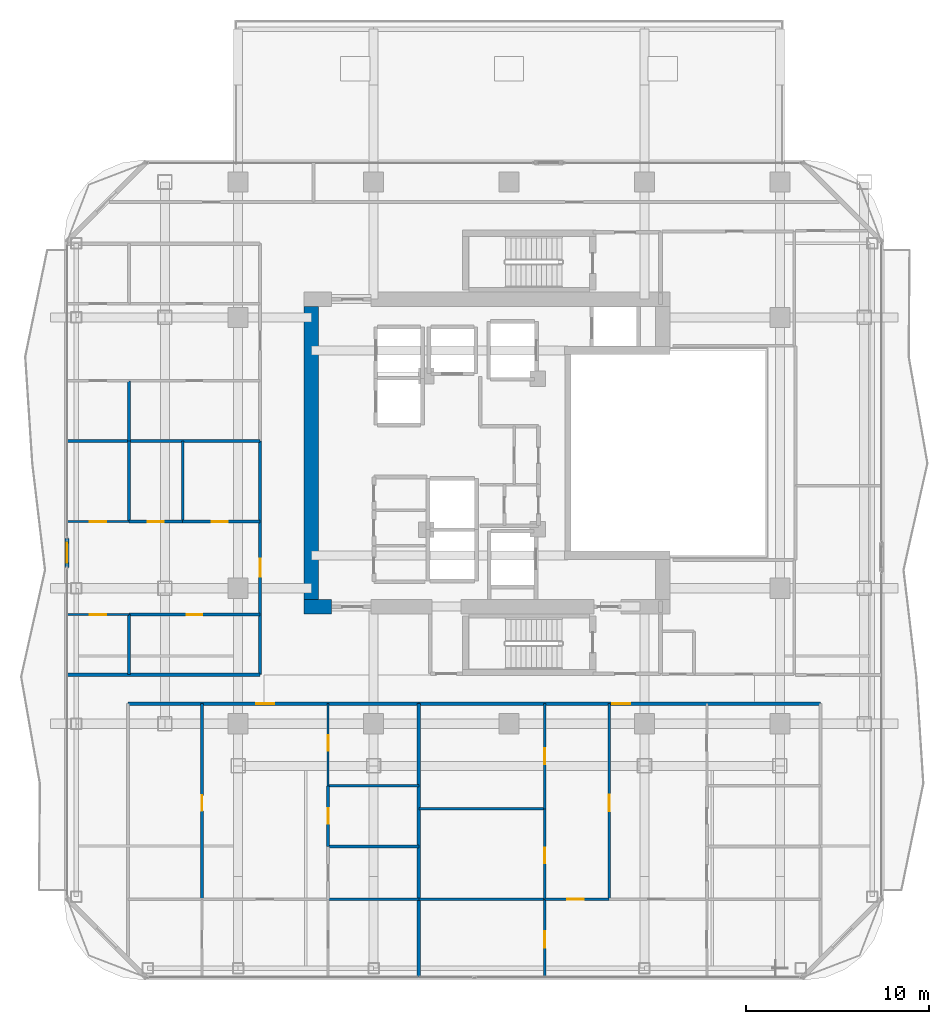
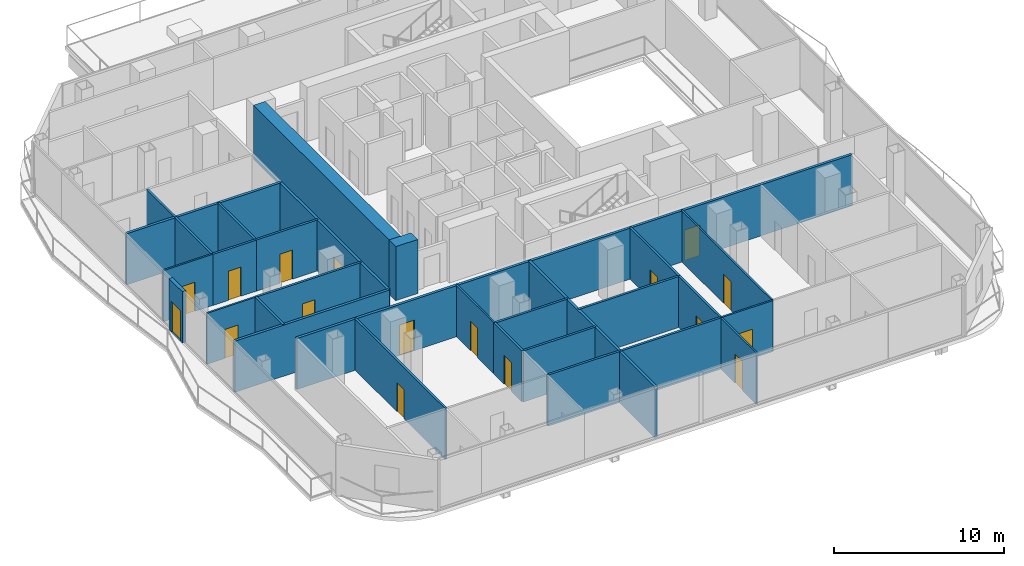
# One storey, part 17 of 24: 31 walls, 17 doors, 17 openings.
"""IFC4 building model written with IfcOpenShell, lengths in metres."""

from ifc_helpers import new_model, si_unit, direction, frame, frame_2d, origin, place, context, subcontext, project, spatial, rectangle, extrude, material, layer, layer_set, type_object, element, fill, save


model = new_model("IFC4")

# Units and contexts
model_context = context("Model", 3, precision=1e-05, world=origin(), true_north=direction((0.0, 1.0)))
body_context = subcontext(model_context, "Body", "Model", "MODEL_VIEW")
ifc_project = project(units=[si_unit("LENGTHUNIT", "METRE"), si_unit("AREAUNIT", "SQUARE_METRE"), si_unit("VOLUMEUNIT", "CUBIC_METRE"), si_unit("PLANEANGLEUNIT", "RADIAN"), si_unit("MASSUNIT", "GRAM", prefix="KILO")], contexts=[model_context])

# Site, building, storey
site_placement = place(None, origin())
site = spatial("IfcSite", under=ifc_project, at=site_placement, CompositionType="ELEMENT")
building_placement = place(site_placement, origin())
building = spatial("IfcBuilding", under=site, at=building_placement, Name="Khorvyn Point Tower", CompositionType="ELEMENT")
storey_placement = place(building_placement, frame((0.0, 0.0, 191.39990234375)))
storey = spatial("IfcBuildingStorey", under=building, at=storey_placement, Name="L47", CompositionType="ELEMENT", Elevation=191.39990234375)

# Wall, opening, door
ifc_material_1 = material(Name="Double acoustic gypsum on twin steel stud", Category="steel")
ifc_layer_1 = layer(ifc_material_1, 0.179931640625)
ifc_layer_set_1 = layer_set([ifc_layer_1], Name="Acoustic Double-Stud Apartment Demising Wall 180")
wall_type_1 = type_object("IfcWallType", Name="Acoustic Double-Stud Apartment Demising Wall 180", PredefinedType="PARTITIONING", material=ifc_layer_set_1)
wall_1_placement = place(storey_placement, frame((-20.820068359375, -13.699951171875, 0.0), z_axis=(0.0, 0.0, 1.0), x_axis=(1.0, 0.0, 0.0)))
wall_1 = element("IfcWall", 1, at=wall_1_placement, inside=storey, type_object=wall_type_1, Name="Wall", PredefinedType="PARTITIONING", context=body_context, shape_type="SweptSolid", body=[
    extrude(rectangle(XDim=15.89306640625, YDim=0.179931640625, at=frame_2d((7.946533203125, 0.0))), origin(), (0.0, 0.0, 1.0), 3.68017578125),
])
opening_1_placement = place(wall_1_placement, frame((6.99658203125, 0.0, 0.0)))
opening_1 = element("IfcOpeningElement", 2, at=opening_1_placement, cuts=wall_1, Name="Opening ID-AP60", PredefinedType="OPENING", context=body_context, shape_type="SweptSolid", body=[
    extrude(rectangle(XDim=1.0, YDim=2.199951171875, at=frame_2d((0.5, 1.10009765625))), frame((0.0, 0.099853515625, 0.0), z_axis=(0.0, -1.0, 0.0), x_axis=(1.0, 0.0, 0.0)), (0.0, 0.0, 1.0), 0.199951171875),
])
ifc_material_2 = material(Name="Engineered hardwood fire-rated leaf", Category="wood")
door_type_1 = type_object("IfcDoorType", Name="Acoustic Solid-Core Timber Apartment Entrance Door 1000x2200", OperationType="NOTDEFINED", PredefinedType="DOOR", material=ifc_material_2)
door_1_placement = place(opening_1_placement, origin())
door_1 = element("IfcDoor", 3, at=door_1_placement, inside=storey, type_object=door_type_1, Name="Door", OperationType="SINGLE_SWING_LEFT", OverallHeight=2.199951171875, OverallWidth=1.0, PredefinedType="DOOR", context=body_context, shape_type="SweptSolid", body=[
    extrude(rectangle(XDim=1.0, YDim=2.199951171875, at=frame_2d((0.5, 1.10009765625))), frame((0.0, 0.02490234375, 0.0), z_axis=(0.0, -1.0, 0.0), x_axis=(1.0, 0.0, 0.0)), (0.0, 0.0, 1.0), 0.050048828125),
])
fill(opening_1, door_1)

wall_2_placement = place(storey_placement, frame((-4.927001953125, -13.699951171875, 0.0), z_axis=(0.0, 0.0, 1.0), x_axis=(1.0, 0.0, 0.0)))
wall_2 = element("IfcWall", 4, at=wall_2_placement, inside=storey, type_object=wall_type_1, Name="Wall", PredefinedType="PARTITIONING", context=body_context, shape_type="SweptSolid", body=[
    extrude(rectangle(XDim=21.947021484375, YDim=0.179931640625, at=frame_2d((10.9736328125, 0.0))), origin(), (0.0, 0.0, 1.0), 3.68017578125),
])
opening_2_placement = place(wall_2_placement, frame((10.563232421875, 0.0, 0.0)))
opening_2 = element("IfcOpeningElement", 5, at=opening_2_placement, cuts=wall_2, Name="Opening ID-AP60", PredefinedType="OPENING", context=body_context, shape_type="SweptSolid", body=[
    extrude(rectangle(XDim=1.0, YDim=2.199951171875, at=frame_2d((0.5, 1.10009765625))), frame((0.0, 0.099853515625, 0.0), z_axis=(0.0, -1.0, 0.0), x_axis=(1.0, 0.0, 0.0)), (0.0, 0.0, 1.0), 0.199951171875),
])
door_2_placement = place(opening_2_placement, origin())
door_2 = element("IfcDoor", 6, at=door_2_placement, inside=storey, type_object=door_type_1, Name="Door", OperationType="SINGLE_SWING_LEFT", OverallHeight=2.199951171875, OverallWidth=1.0, PredefinedType="DOOR", context=body_context, shape_type="SweptSolid", body=[
    extrude(rectangle(XDim=1.0, YDim=2.199951171875, at=frame_2d((0.5, 1.10009765625))), frame((0.0, 0.02490234375, 0.0), z_axis=(0.0, -1.0, 0.0), x_axis=(1.0, 0.0, 0.0)), (0.0, 0.0, 1.0), 0.050048828125),
])
fill(opening_2, door_2)

wall_3_placement = place(storey_placement, frame((-13.60009765625, -12.1201171875, 0.0), z_axis=(0.0, 0.0, 1.0), x_axis=(0.0, 1.0, 0.0)))
wall_3 = element("IfcWall", 7, at=wall_3_placement, inside=storey, type_object=wall_type_1, Name="Wall", PredefinedType="PARTITIONING", context=body_context, shape_type="SweptSolid", body=[
    extrude(rectangle(XDim=12.76416015625, YDim=0.179931640625, at=frame_2d((6.382080078125, 0.0))), origin(), (0.0, 0.0, 1.0), 3.68017578125),
])
opening_3_placement = place(wall_3_placement, frame((5.345703125, 0.0, 0.0)))
opening_3 = element("IfcOpeningElement", 8, at=opening_3_placement, cuts=wall_3, Name="Opening ID-AP60", PredefinedType="OPENING", context=body_context, shape_type="SweptSolid", body=[
    extrude(rectangle(XDim=1.0, YDim=2.199951171875, at=frame_2d((0.5, 1.10009765625))), frame((0.0, 0.099853515625, 0.0), z_axis=(0.0, -1.0, 0.0), x_axis=(1.0, 0.0, 0.0)), (0.0, 0.0, 1.0), 0.199951171875),
])
door_3_placement = place(opening_3_placement, origin())
door_3 = element("IfcDoor", 9, at=door_3_placement, inside=storey, type_object=door_type_1, Name="Door", OperationType="SINGLE_SWING_RIGHT", OverallHeight=2.199951171875, OverallWidth=1.0, PredefinedType="DOOR", context=body_context, shape_type="SweptSolid", body=[
    extrude(rectangle(XDim=1.0, YDim=2.199951171875, at=frame_2d((0.5, 1.10009765625))), frame((0.0, 0.02490234375, 0.0), z_axis=(0.0, -1.0, 0.0), x_axis=(1.0, 0.0, 0.0)), (0.0, 0.0, 1.0), 0.050048828125),
])
fill(opening_3, door_3)

# Walls
wall_4_placement = place(storey_placement, frame((-4.927001953125, -28.6298828125, 0.0), z_axis=(0.0, 0.0, 1.0), x_axis=(0.0, 1.0, 0.0)))
element("IfcWall", 10, at=wall_4_placement, inside=storey, type_object=wall_type_1, Name="Wall", PredefinedType="PARTITIONING", context=body_context, shape_type="SweptSolid", body=[
    extrude(rectangle(XDim=14.929931640625, YDim=0.179931640625, at=frame_2d((7.46484375, 0.0))), origin(), (0.0, 0.0, 1.0), 3.68017578125),
])
for number, where, z_axis, x_axis, name in (
    (11, (-24.1298828125, 0.64404296875, 0.0), (0.0, 0.0, 1.0), (1.0, 0.0, 0.0), "Wall"),
    (12, (-24.1298828125, -12.1201171875, 0.0), (0.0, 0.0, 1.0), (1.0, 0.0, 0.0), "Wall"),
):
    element("IfcWall", number, at=place(storey_placement, frame(where, z_axis=z_axis, x_axis=x_axis)), inside=storey, type_object=wall_type_1, Name=name, PredefinedType="PARTITIONING", context=body_context, shape_type="SweptSolid", body=[
        extrude(rectangle(XDim=10.52978515625, YDim=0.179931640625, at=frame_2d((5.264892578125, 0.0))), origin(), (0.0, 0.0, 1.0), 3.68017578125),
    ])

# Wall, opening, door
ifc_material_3 = material(Name="Pale anodised aluminium rainscreen on steel stud", Category="steel")
ifc_layer_2 = layer(ifc_material_3, 0.239990234375)
ifc_layer_set_2 = layer_set([ifc_layer_2], Name="Anodised Aluminium Insulated Corner Spandrel Wall 240")
wall_type_2 = type_object("IfcWallType", Name="Anodised Aluminium Insulated Corner Spandrel Wall 240", PredefinedType="SOLIDWALL", material=ifc_layer_set_2)
wall_5_placement = place(storey_placement, frame((-24.14990234375, -6.25390625, 0.0), z_axis=(0.0, 0.0, 1.0), x_axis=(0.0, 1.0, 0.0)))
wall_5 = element("IfcWall", 13, at=wall_5_placement, inside=storey, type_object=wall_type_2, Name="L47 West Outdoor Threshold Wall", PredefinedType="SOLIDWALL", context=body_context, shape_type="SweptSolid", body=[
    extrude(rectangle(XDim=1.579833984375, YDim=0.239990234375, at=frame_2d((0.7900390625, 0.0))), origin(), (0.0, 0.0, 1.0), 3.68017578125),
])
opening_4_placement = place(wall_5_placement, frame((0.239990234375, 0.0, 0.0)))
opening_4 = element("IfcOpeningElement", 14, at=opening_4_placement, cuts=wall_5, Name="Opening BD-1122", PredefinedType="OPENING", context=body_context, shape_type="SweptSolid", body=[
    extrude(rectangle(XDim=1.10009765625, YDim=2.199951171875, at=frame_2d((0.550048828125, 1.10009765625))), frame((0.0, 0.1298828125, 0.0), z_axis=(0.0, -1.0, 0.0), x_axis=(1.0, 0.0, 0.0)), (0.0, 0.0, 1.0), 0.260009765625),
])
ifc_material_4 = material(Name="Anodised aluminium 6063-T6 and laminated Low-E glass", Category="aluminium")
door_type_2 = type_object("IfcDoorType", Name="Glazed Balcony and Terrace Threshold Door 1100x2200", OperationType="NOTDEFINED", PredefinedType="DOOR", material=ifc_material_4)
door_4_placement = place(opening_4_placement, origin())
door_4 = element("IfcDoor", 15, at=door_4_placement, inside=storey, type_object=door_type_2, Name="L47 West Glazed Balcony Outdoor Door", OperationType="SINGLE_SWING_RIGHT", OverallHeight=2.199951171875, OverallWidth=1.10009765625, PredefinedType="DOOR", context=body_context, shape_type="SweptSolid", body=[
    extrude(rectangle(XDim=1.10009765625, YDim=2.199951171875, at=frame_2d((0.550048828125, 1.10009765625))), frame((0.0, 0.02490234375, 0.0), z_axis=(0.0, -1.0, 0.0), x_axis=(1.0, 0.0, 0.0)), (0.0, 0.0, 1.0), 0.050048828125),
])
fill(opening_4, door_4)

# Walls
ifc_material_5 = material(Name="Concrete C45/55", Category="concrete")
ifc_layer_3 = layer(ifc_material_5, 0.800048828125)
ifc_layer_set_3 = layer_set([ifc_layer_3], Name="Concrete C45/55 Core Shear Wall 800")
wall_type_3 = type_object("IfcWallType", Name="Concrete C45/55 Core Shear Wall 800", PredefinedType="SHEAR", material=ifc_layer_set_3)
wall_6_placement = place(storey_placement, frame((-11.199951171875, -8.39990234375, 0.0), z_axis=(0.0, 0.0, 1.0), x_axis=(1.0, 0.0, 0.0)))
element("IfcWall", 16, at=wall_6_placement, inside=storey, type_object=wall_type_3, Name="Wall", PredefinedType="SHEAR", context=body_context, shape_type="SweptSolid", body=[
    extrude(rectangle(XDim=1.5, YDim=0.800048828125, at=frame_2d((0.75, 0.0))), origin(), (0.0, 0.0, 1.0), 3.900146484375),
])
wall_7_placement = place(storey_placement, frame((-10.800048828125, -8.0, 0.0), z_axis=(0.0, 0.0, 1.0), x_axis=(0.0, 1.0, 0.0)))
element("IfcWall", 17, at=wall_7_placement, inside=storey, type_object=wall_type_3, Name="Wall", PredefinedType="SHEAR", context=body_context, shape_type="SweptSolid", body=[
    extrude(rectangle(XDim=16.0, YDim=0.800048828125, at=frame_2d((8.0, 0.0))), origin(), (0.0, 0.0, 1.0), 3.900146484375),
])

# Wall, opening, door
ifc_material_6 = material(Name="Gypsum plasterboard on steel stud", Category="steel")
ifc_layer_4 = layer(ifc_material_6, 0.1201171875)
ifc_layer_set_4 = layer_set([ifc_layer_4], Name="Gypsum Acoustic Stud Room Partition Wall 120")
wall_type_4 = type_object("IfcWallType", Name="Gypsum Acoustic Stud Room Partition Wall 120", PredefinedType="PARTITIONING", material=ifc_layer_set_4)
wall_8_placement = place(storey_placement, frame((-9.885009765625, -18.18994140625, 0.0), z_axis=(0.0, 0.0, 1.0), x_axis=(0.0, 1.0, 0.0)))
wall_8 = element("IfcWall", 18, at=wall_8_placement, inside=storey, type_object=wall_type_4, Name="Wall", PredefinedType="PARTITIONING", context=body_context, shape_type="SweptSolid", body=[
    extrude(rectangle(XDim=4.489990234375, YDim=0.1201171875, at=frame_2d((2.2451171875, 0.0))), origin(), (0.0, 0.0, 1.0), 3.68017578125),
])
opening_5_placement = place(wall_8_placement, frame((1.907470703125, 0.0, 0.0)))
opening_5 = element("IfcOpeningElement", 19, at=opening_5_placement, cuts=wall_8, Name="Opening ID-WC85", PredefinedType="OPENING", context=body_context, shape_type="SweptSolid", body=[
    extrude(rectangle(XDim=0.85009765625, YDim=2.10009765625, at=frame_2d((0.425048828125, 1.050048828125))), frame((0.0, 0.070068359375, 0.0), z_axis=(0.0, -1.0, 0.0), x_axis=(1.0, 0.0, 0.0)), (0.0, 0.0, 1.0), 0.14013671875),
])
ifc_material_7 = material(Name="High-pressure laminate on moisture-resistant core", Category="wood")
door_type_3 = type_object("IfcDoorType", Name="Moisture-Resistant Accessible Washroom Door 850x2100", OperationType="NOTDEFINED", PredefinedType="DOOR", material=ifc_material_7)
door_5_placement = place(opening_5_placement, origin())
door_5 = element("IfcDoor", 20, at=door_5_placement, inside=storey, type_object=door_type_3, Name="Door", OperationType="SINGLE_SWING_LEFT", OverallHeight=2.10009765625, OverallWidth=0.85009765625, PredefinedType="DOOR", context=body_context, shape_type="SweptSolid", body=[
    extrude(rectangle(XDim=0.85009765625, YDim=2.10009765625, at=frame_2d((0.425048828125, 1.050048828125))), frame((0.0, 0.02490234375, 0.0), z_axis=(0.0, -1.0, 0.0), x_axis=(1.0, 0.0, 0.0)), (0.0, 0.0, 1.0), 0.050048828125),
])
fill(opening_5, door_5)

wall_9_placement = place(storey_placement, frame((1.955078125, -24.389892578125, 0.0), z_axis=(0.0, 0.0, 1.0), x_axis=(1.0, 0.0, 0.0)))
wall_9 = element("IfcWall", 21, at=wall_9_placement, inside=storey, type_object=wall_type_4, Name="Wall", PredefinedType="PARTITIONING", context=body_context, shape_type="SweptSolid", body=[
    extrude(rectangle(XDim=3.516845703125, YDim=0.1201171875, at=frame_2d((1.75830078125, 0.0))), origin(), (0.0, 0.0, 1.0), 3.68017578125),
])
opening_6_placement = place(wall_9_placement, frame((1.22021484375, 0.0, 0.0)))
opening_6 = element("IfcOpeningElement", 22, at=opening_6_placement, cuts=wall_9, Name="Opening ID-RM90", PredefinedType="OPENING", context=body_context, shape_type="SweptSolid", body=[
    extrude(rectangle(XDim=0.89990234375, YDim=2.10009765625, at=frame_2d((0.449951171875, 1.050048828125))), frame((0.0, 0.070068359375, 0.0), z_axis=(0.0, -1.0, 0.0), x_axis=(1.0, 0.0, 0.0)), (0.0, 0.0, 1.0), 0.14013671875),
])
ifc_material_8 = material(Name="Engineered oak veneer timber", Category="wood")
door_type_4 = type_object("IfcDoorType", Name="Flush Engineered Timber Room Door 900x2100", OperationType="NOTDEFINED", PredefinedType="DOOR", material=ifc_material_8)
door_6_placement = place(opening_6_placement, origin())
door_6 = element("IfcDoor", 23, at=door_6_placement, inside=storey, type_object=door_type_4, Name="Door", OperationType="SINGLE_SWING_RIGHT", OverallHeight=2.10009765625, OverallWidth=0.89990234375, PredefinedType="DOOR", context=body_context, shape_type="SweptSolid", body=[
    extrude(rectangle(XDim=0.89990234375, YDim=2.10009765625, at=frame_2d((0.449951171875, 1.050048828125))), frame((0.0, 0.02490234375, 0.0), z_axis=(0.0, -1.0, 0.0), x_axis=(1.0, 0.0, 0.0)), (0.0, 0.0, 1.0), 0.050048828125),
])
fill(opening_6, door_6)

wall_10_placement = place(storey_placement, frame((5.471923828125, -24.389892578125, 0.0), z_axis=(0.0, 0.0, 1.0), x_axis=(0.0, 1.0, 0.0)))
wall_10 = element("IfcWall", 24, at=wall_10_placement, inside=storey, type_object=wall_type_4, Name="Wall", PredefinedType="PARTITIONING", context=body_context, shape_type="SweptSolid", body=[
    extrude(rectangle(XDim=10.68994140625, YDim=0.1201171875, at=frame_2d((5.344970703125, 0.0))), origin(), (0.0, 0.0, 1.0), 3.68017578125),
])
opening_7_placement = place(wall_10_placement, frame((4.8056640625, 0.0, 0.0)))
opening_7 = element("IfcOpeningElement", 25, at=opening_7_placement, cuts=wall_10, Name="Opening ID-RM90", PredefinedType="OPENING", context=body_context, shape_type="SweptSolid", body=[
    extrude(rectangle(XDim=0.89990234375, YDim=2.10009765625, at=frame_2d((0.449951171875, 1.050048828125))), frame((0.0, 0.070068359375, 0.0), z_axis=(0.0, -1.0, 0.0), x_axis=(1.0, 0.0, 0.0)), (0.0, 0.0, 1.0), 0.14013671875),
])
door_7_placement = place(opening_7_placement, origin())
door_7 = element("IfcDoor", 26, at=door_7_placement, inside=storey, type_object=door_type_4, Name="Door", OperationType="SINGLE_SWING_RIGHT", OverallHeight=2.10009765625, OverallWidth=0.89990234375, PredefinedType="DOOR", context=body_context, shape_type="SweptSolid", body=[
    extrude(rectangle(XDim=0.89990234375, YDim=2.10009765625, at=frame_2d((0.449951171875, 1.050048828125))), frame((0.0, 0.02490234375, 0.0), z_axis=(0.0, -1.0, 0.0), x_axis=(1.0, 0.0, 0.0)), (0.0, 0.0, 1.0), 0.050048828125),
])
fill(opening_7, door_7)

wall_11_placement = place(storey_placement, frame((1.955078125, -28.6298828125, 0.0), z_axis=(0.0, 0.0, 1.0), x_axis=(0.0, 1.0, 0.0)))
wall_11 = element("IfcWall", 27, at=wall_11_placement, inside=storey, type_object=wall_type_4, Name="Wall", PredefinedType="PARTITIONING", context=body_context, shape_type="SweptSolid", body=[
    extrude(rectangle(XDim=4.239990234375, YDim=0.1201171875, at=frame_2d((2.1201171875, 0.0))), origin(), (0.0, 0.0, 1.0), 3.68017578125),
])
opening_8_placement = place(wall_11_placement, frame((1.581298828125, 0.0, 0.0)))
opening_8 = element("IfcOpeningElement", 28, at=opening_8_placement, cuts=wall_11, Name="Opening ID-RM90", PredefinedType="OPENING", context=body_context, shape_type="SweptSolid", body=[
    extrude(rectangle(XDim=0.89990234375, YDim=2.10009765625, at=frame_2d((0.449951171875, 1.050048828125))), frame((0.0, 0.070068359375, 0.0), z_axis=(0.0, -1.0, 0.0), x_axis=(1.0, 0.0, 0.0)), (0.0, 0.0, 1.0), 0.14013671875),
])
door_8_placement = place(opening_8_placement, origin())
door_8 = element("IfcDoor", 29, at=door_8_placement, inside=storey, type_object=door_type_4, Name="Door", OperationType="SINGLE_SWING_LEFT", OverallHeight=2.10009765625, OverallWidth=0.89990234375, PredefinedType="DOOR", context=body_context, shape_type="SweptSolid", body=[
    extrude(rectangle(XDim=0.89990234375, YDim=2.10009765625, at=frame_2d((0.449951171875, 1.050048828125))), frame((0.0, 0.02490234375, 0.0), z_axis=(0.0, -1.0, 0.0), x_axis=(1.0, 0.0, 0.0)), (0.0, 0.0, 1.0), 0.050048828125),
])
fill(opening_8, door_8)

wall_12_placement = place(storey_placement, frame((-24.1298828125, -8.8359375, 0.0), z_axis=(0.0, 0.0, 1.0), x_axis=(1.0, 0.0, 0.0)))
wall_12 = element("IfcWall", 30, at=wall_12_placement, inside=storey, type_object=wall_type_4, Name="Wall", PredefinedType="PARTITIONING", context=body_context, shape_type="SweptSolid", body=[
    extrude(rectangle(XDim=3.36083984375, YDim=0.1201171875, at=frame_2d((1.680419921875, 0.0))), origin(), (0.0, 0.0, 1.0), 3.68017578125),
])
opening_9_placement = place(wall_12_placement, frame((1.23046875, 0.0, 0.0)))
opening_9 = element("IfcOpeningElement", 31, at=opening_9_placement, cuts=wall_12, Name="Opening ID-RM90", PredefinedType="OPENING", context=body_context, shape_type="SweptSolid", body=[
    extrude(rectangle(XDim=0.89990234375, YDim=2.10009765625, at=frame_2d((0.449951171875, 1.050048828125))), frame((0.0, 0.070068359375, 0.0), z_axis=(0.0, -1.0, 0.0), x_axis=(1.0, 0.0, 0.0)), (0.0, 0.0, 1.0), 0.14013671875),
])
door_9_placement = place(opening_9_placement, origin())
door_9 = element("IfcDoor", 32, at=door_9_placement, inside=storey, type_object=door_type_4, Name="Door", OperationType="SINGLE_SWING_RIGHT", OverallHeight=2.10009765625, OverallWidth=0.89990234375, PredefinedType="DOOR", context=body_context, shape_type="SweptSolid", body=[
    extrude(rectangle(XDim=0.89990234375, YDim=2.10009765625, at=frame_2d((0.449951171875, 1.050048828125))), frame((0.0, 0.02490234375, 0.0), z_axis=(0.0, -1.0, 0.0), x_axis=(1.0, 0.0, 0.0)), (0.0, 0.0, 1.0), 0.050048828125),
])
fill(opening_9, door_9)

wall_13_placement = place(storey_placement, frame((-24.1298828125, -3.7529296875, 0.0), z_axis=(0.0, 0.0, 1.0), x_axis=(1.0, 0.0, 0.0)))
wall_13 = element("IfcWall", 33, at=wall_13_placement, inside=storey, type_object=wall_type_4, Name="Wall", PredefinedType="PARTITIONING", context=body_context, shape_type="SweptSolid", body=[
    extrude(rectangle(XDim=3.36083984375, YDim=0.1201171875, at=frame_2d((1.680419921875, 0.0))), origin(), (0.0, 0.0, 1.0), 3.68017578125),
])
opening_10_placement = place(wall_13_placement, frame((1.23046875, 0.0, 0.0)))
opening_10 = element("IfcOpeningElement", 34, at=opening_10_placement, cuts=wall_13, Name="Opening ID-RM90", PredefinedType="OPENING", context=body_context, shape_type="SweptSolid", body=[
    extrude(rectangle(XDim=0.89990234375, YDim=2.10009765625, at=frame_2d((0.449951171875, 1.050048828125))), frame((0.0, 0.070068359375, 0.0), z_axis=(0.0, -1.0, 0.0), x_axis=(1.0, 0.0, 0.0)), (0.0, 0.0, 1.0), 0.14013671875),
])
door_10_placement = place(opening_10_placement, origin())
door_10 = element("IfcDoor", 35, at=door_10_placement, inside=storey, type_object=door_type_4, Name="Door", OperationType="SINGLE_SWING_LEFT", OverallHeight=2.10009765625, OverallWidth=0.89990234375, PredefinedType="DOOR", context=body_context, shape_type="SweptSolid", body=[
    extrude(rectangle(XDim=0.89990234375, YDim=2.10009765625, at=frame_2d((0.449951171875, 1.050048828125))), frame((0.0, 0.02490234375, 0.0), z_axis=(0.0, -1.0, 0.0), x_axis=(1.0, 0.0, 0.0)), (0.0, 0.0, 1.0), 0.050048828125),
])
fill(opening_10, door_10)

ifc_material_9 = material(Name="Moisture-resistant gypsum and cement board", Category="gypsum")
ifc_layer_5 = layer(ifc_material_9, 0.14990234375)
ifc_layer_set_5 = layer_set([ifc_layer_5], Name="Moisture-Resistant Wet-Room Partition Wall 150")
wall_type_5 = type_object("IfcWallType", Name="Moisture-Resistant Wet-Room Partition Wall 150", PredefinedType="PARTITIONING", material=ifc_layer_set_5)
wall_14_placement = place(storey_placement, frame((-16.77392578125, -24.389892578125, 0.0), z_axis=(0.0, 0.0, 1.0), x_axis=(0.0, 1.0, 0.0)))
wall_14 = element("IfcWall", 36, at=wall_14_placement, inside=storey, type_object=wall_type_5, Name="Wall", PredefinedType="PARTITIONING", context=body_context, shape_type="SweptSolid", body=[
    extrude(rectangle(XDim=10.68994140625, YDim=0.14990234375, at=frame_2d((5.344970703125, 0.0))), origin(), (0.0, 0.0, 1.0), 3.68017578125),
])
opening_11_placement = place(wall_14_placement, frame((4.830078125, 0.0, 0.0)))
opening_11 = element("IfcOpeningElement", 37, at=opening_11_placement, cuts=wall_14, Name="Opening ID-WC85", PredefinedType="OPENING", context=body_context, shape_type="SweptSolid", body=[
    extrude(rectangle(XDim=0.85009765625, YDim=2.10009765625, at=frame_2d((0.425048828125, 1.050048828125))), frame((0.0, 0.0849609375, 0.0), z_axis=(0.0, -1.0, 0.0), x_axis=(1.0, 0.0, 0.0)), (0.0, 0.0, 1.0), 0.169921875),
])
door_11_placement = place(opening_11_placement, origin())
door_11 = element("IfcDoor", 38, at=door_11_placement, inside=storey, type_object=door_type_3, Name="Door", OperationType="SINGLE_SWING_LEFT", OverallHeight=2.10009765625, OverallWidth=0.85009765625, PredefinedType="DOOR", context=body_context, shape_type="SweptSolid", body=[
    extrude(rectangle(XDim=0.85009765625, YDim=2.10009765625, at=frame_2d((0.425048828125, 1.050048828125))), frame((0.0, 0.02490234375, 0.0), z_axis=(0.0, -1.0, 0.0), x_axis=(1.0, 0.0, 0.0)), (0.0, 0.0, 1.0), 0.050048828125),
])
fill(opening_11, door_11)

wall_15_placement = place(storey_placement, frame((-9.885009765625, -21.50390625, 0.0), z_axis=(0.0, 0.0, 1.0), x_axis=(0.0, 1.0, 0.0)))
wall_15 = element("IfcWall", 39, at=wall_15_placement, inside=storey, type_object=wall_type_5, Name="Wall", PredefinedType="PARTITIONING", context=body_context, shape_type="SweptSolid", body=[
    extrude(rectangle(XDim=3.31396484375, YDim=0.14990234375, at=frame_2d((1.656982421875, 0.0))), origin(), (0.0, 0.0, 1.0), 3.68017578125),
])
opening_12_placement = place(wall_15_placement, frame((1.23193359375, 0.0, 0.0)))
opening_12 = element("IfcOpeningElement", 40, at=opening_12_placement, cuts=wall_15, Name="Opening ID-WC85", PredefinedType="OPENING", context=body_context, shape_type="SweptSolid", body=[
    extrude(rectangle(XDim=0.85009765625, YDim=2.10009765625, at=frame_2d((0.425048828125, 1.050048828125))), frame((0.0, 0.0849609375, 0.0), z_axis=(0.0, -1.0, 0.0), x_axis=(1.0, 0.0, 0.0)), (0.0, 0.0, 1.0), 0.169921875),
])
door_12_placement = place(opening_12_placement, origin())
door_12 = element("IfcDoor", 41, at=door_12_placement, inside=storey, type_object=door_type_3, Name="Door", OperationType="SINGLE_SWING_RIGHT", OverallHeight=2.10009765625, OverallWidth=0.85009765625, PredefinedType="DOOR", context=body_context, shape_type="SweptSolid", body=[
    extrude(rectangle(XDim=0.85009765625, YDim=2.10009765625, at=frame_2d((0.425048828125, 1.050048828125))), frame((0.0, 0.02490234375, 0.0), z_axis=(0.0, -1.0, 0.0), x_axis=(1.0, 0.0, 0.0)), (0.0, 0.0, 1.0), 0.050048828125),
])
fill(opening_12, door_12)

wall_16_placement = place(storey_placement, frame((1.955078125, -24.389892578125, 0.0), z_axis=(0.0, 0.0, 1.0), x_axis=(0.0, 1.0, 0.0)))
wall_16 = element("IfcWall", 42, at=wall_16_placement, inside=storey, type_object=wall_type_5, Name="Wall", PredefinedType="PARTITIONING", context=body_context, shape_type="SweptSolid", body=[
    extrude(rectangle(XDim=4.93994140625, YDim=0.14990234375, at=frame_2d((2.469970703125, 0.0))), origin(), (0.0, 0.0, 1.0), 3.68017578125),
])
opening_13_placement = place(wall_16_placement, frame((1.955078125, 0.0, 0.0)))
opening_13 = element("IfcOpeningElement", 43, at=opening_13_placement, cuts=wall_16, Name="Opening ID-WC85", PredefinedType="OPENING", context=body_context, shape_type="SweptSolid", body=[
    extrude(rectangle(XDim=0.85009765625, YDim=2.10009765625, at=frame_2d((0.425048828125, 1.050048828125))), frame((0.0, 0.0849609375, 0.0), z_axis=(0.0, -1.0, 0.0), x_axis=(1.0, 0.0, 0.0)), (0.0, 0.0, 1.0), 0.169921875),
])
door_13_placement = place(opening_13_placement, origin())
door_13 = element("IfcDoor", 44, at=door_13_placement, inside=storey, type_object=door_type_3, Name="Door", OperationType="SINGLE_SWING_LEFT", OverallHeight=2.10009765625, OverallWidth=0.85009765625, PredefinedType="DOOR", context=body_context, shape_type="SweptSolid", body=[
    extrude(rectangle(XDim=0.85009765625, YDim=2.10009765625, at=frame_2d((0.425048828125, 1.050048828125))), frame((0.0, 0.02490234375, 0.0), z_axis=(0.0, -1.0, 0.0), x_axis=(1.0, 0.0, 0.0)), (0.0, 0.0, 1.0), 0.050048828125),
])
fill(opening_13, door_13)

wall_17_placement = place(storey_placement, frame((1.955078125, -19.449951171875, 0.0), z_axis=(0.0, 0.0, 1.0), x_axis=(0.0, 1.0, 0.0)))
wall_17 = element("IfcWall", 45, at=wall_17_placement, inside=storey, type_object=wall_type_5, Name="Wall", PredefinedType="PARTITIONING", context=body_context, shape_type="SweptSolid", body=[
    extrude(rectangle(XDim=5.75, YDim=0.14990234375, at=frame_2d((2.875, 0.0))), origin(), (0.0, 0.0, 1.0), 3.68017578125),
])
opening_14_placement = place(wall_17_placement, frame((2.449951171875, 0.0, 0.0)))
opening_14 = element("IfcOpeningElement", 46, at=opening_14_placement, cuts=wall_17, Name="Opening ID-WC85", PredefinedType="OPENING", context=body_context, shape_type="SweptSolid", body=[
    extrude(rectangle(XDim=0.85009765625, YDim=2.10009765625, at=frame_2d((0.425048828125, 1.050048828125))), frame((0.0, 0.0849609375, 0.0), z_axis=(0.0, -1.0, 0.0), x_axis=(1.0, 0.0, 0.0)), (0.0, 0.0, 1.0), 0.169921875),
])
door_14_placement = place(opening_14_placement, origin())
door_14 = element("IfcDoor", 47, at=door_14_placement, inside=storey, type_object=door_type_3, Name="Door", OperationType="SINGLE_SWING_RIGHT", OverallHeight=2.10009765625, OverallWidth=0.85009765625, PredefinedType="DOOR", context=body_context, shape_type="SweptSolid", body=[
    extrude(rectangle(XDim=0.85009765625, YDim=2.10009765625, at=frame_2d((0.425048828125, 1.050048828125))), frame((0.0, 0.02490234375, 0.0), z_axis=(0.0, -1.0, 0.0), x_axis=(1.0, 0.0, 0.0)), (0.0, 0.0, 1.0), 0.050048828125),
])
fill(opening_14, door_14)

wall_18_placement = place(storey_placement, frame((-20.76904296875, -3.7529296875, 0.0), z_axis=(0.0, 0.0, 1.0), x_axis=(1.0, 0.0, 0.0)))
wall_18 = element("IfcWall", 48, at=wall_18_placement, inside=storey, type_object=wall_type_5, Name="Wall", PredefinedType="PARTITIONING", context=body_context, shape_type="SweptSolid", body=[
    extrude(rectangle(XDim=2.93896484375, YDim=0.14990234375, at=frame_2d((1.469482421875, 0.0))), origin(), (0.0, 0.0, 1.0), 3.68017578125),
])
opening_15_placement = place(wall_18_placement, frame((1.04443359375, 0.0, 0.0)))
opening_15 = element("IfcOpeningElement", 49, at=opening_15_placement, cuts=wall_18, Name="Opening ID-WC85", PredefinedType="OPENING", context=body_context, shape_type="SweptSolid", body=[
    extrude(rectangle(XDim=0.85009765625, YDim=2.10009765625, at=frame_2d((0.425048828125, 1.050048828125))), frame((0.0, 0.0849609375, 0.0), z_axis=(0.0, -1.0, 0.0), x_axis=(1.0, 0.0, 0.0)), (0.0, 0.0, 1.0), 0.169921875),
])
door_15_placement = place(opening_15_placement, origin())
door_15 = element("IfcDoor", 50, at=door_15_placement, inside=storey, type_object=door_type_3, Name="Door", OperationType="SINGLE_SWING_LEFT", OverallHeight=2.10009765625, OverallWidth=0.85009765625, PredefinedType="DOOR", context=body_context, shape_type="SweptSolid", body=[
    extrude(rectangle(XDim=0.85009765625, YDim=2.10009765625, at=frame_2d((0.425048828125, 1.050048828125))), frame((0.0, 0.02490234375, 0.0), z_axis=(0.0, -1.0, 0.0), x_axis=(1.0, 0.0, 0.0)), (0.0, 0.0, 1.0), 0.050048828125),
])
fill(opening_15, door_15)

wall_19_placement = place(storey_placement, frame((-17.830078125, -3.7529296875, 0.0), z_axis=(0.0, 0.0, 1.0), x_axis=(1.0, 0.0, 0.0)))
wall_19 = element("IfcWall", 51, at=wall_19_placement, inside=storey, type_object=wall_type_5, Name="Wall", PredefinedType="PARTITIONING", context=body_context, shape_type="SweptSolid", body=[
    extrude(rectangle(XDim=4.22998046875, YDim=0.14990234375, at=frame_2d((2.114990234375, 0.0))), origin(), (0.0, 0.0, 1.0), 3.68017578125),
])
opening_16_placement = place(wall_19_placement, frame((1.60009765625, 0.0, 0.0)))
opening_16 = element("IfcOpeningElement", 52, at=opening_16_placement, cuts=wall_19, Name="Opening ID-WC85", PredefinedType="OPENING", context=body_context, shape_type="SweptSolid", body=[
    extrude(rectangle(XDim=0.85009765625, YDim=2.10009765625, at=frame_2d((0.425048828125, 1.050048828125))), frame((0.0, 0.0849609375, 0.0), z_axis=(0.0, -1.0, 0.0), x_axis=(1.0, 0.0, 0.0)), (0.0, 0.0, 1.0), 0.169921875),
])
door_16_placement = place(opening_16_placement, origin())
door_16 = element("IfcDoor", 53, at=door_16_placement, inside=storey, type_object=door_type_3, Name="Door", OperationType="SINGLE_SWING_RIGHT", OverallHeight=2.10009765625, OverallWidth=0.85009765625, PredefinedType="DOOR", context=body_context, shape_type="SweptSolid", body=[
    extrude(rectangle(XDim=0.85009765625, YDim=2.10009765625, at=frame_2d((0.425048828125, 1.050048828125))), frame((0.0, 0.02490234375, 0.0), z_axis=(0.0, -1.0, 0.0), x_axis=(1.0, 0.0, 0.0)), (0.0, 0.0, 1.0), 0.050048828125),
])
fill(opening_16, door_16)

wall_20_placement = place(storey_placement, frame((-20.76904296875, -8.8359375, 0.0), z_axis=(0.0, 0.0, 1.0), x_axis=(1.0, 0.0, 0.0)))
wall_20 = element("IfcWall", 54, at=wall_20_placement, inside=storey, type_object=wall_type_5, Name="Wall", PredefinedType="PARTITIONING", context=body_context, shape_type="SweptSolid", body=[
    extrude(rectangle(XDim=7.1689453125, YDim=0.14990234375, at=frame_2d((3.58447265625, 0.0))), origin(), (0.0, 0.0, 1.0), 3.68017578125),
])
opening_17_placement = place(wall_20_placement, frame((3.159423828125, 0.0, 0.0)))
opening_17 = element("IfcOpeningElement", 55, at=opening_17_placement, cuts=wall_20, Name="Opening ID-WC85", PredefinedType="OPENING", context=body_context, shape_type="SweptSolid", body=[
    extrude(rectangle(XDim=0.85009765625, YDim=2.10009765625, at=frame_2d((0.425048828125, 1.050048828125))), frame((0.0, 0.0849609375, 0.0), z_axis=(0.0, -1.0, 0.0), x_axis=(1.0, 0.0, 0.0)), (0.0, 0.0, 1.0), 0.169921875),
])
door_17_placement = place(opening_17_placement, origin())
door_17 = element("IfcDoor", 56, at=door_17_placement, inside=storey, type_object=door_type_3, Name="Door", OperationType="SINGLE_SWING_LEFT", OverallHeight=2.10009765625, OverallWidth=0.85009765625, PredefinedType="DOOR", context=body_context, shape_type="SweptSolid", body=[
    extrude(rectangle(XDim=0.85009765625, YDim=2.10009765625, at=frame_2d((0.425048828125, 1.050048828125))), frame((0.0, 0.02490234375, 0.0), z_axis=(0.0, -1.0, 0.0), x_axis=(1.0, 0.0, 0.0)), (0.0, 0.0, 1.0), 0.050048828125),
])
fill(opening_17, door_17)

# Walls
for number, where, z_axis, x_axis, name in (
    (57, (-9.885009765625, -21.50390625, 0.0), (0.0, 0.0, 1.0), (1.0, 0.0, 0.0), "Wall"),
    (58, (-9.885009765625, -18.18994140625, 0.0), (0.0, 0.0, 1.0), (1.0, 0.0, 0.0), "Wall"),
    (59, (-9.885009765625, -24.389892578125, 0.0), (0.0, 0.0, 1.0), (1.0, 0.0, 0.0), "Wall"),
):
    element("IfcWall", number, at=place(storey_placement, frame(where, z_axis=z_axis, x_axis=x_axis)), inside=storey, type_object=wall_type_5, Name=name, PredefinedType="PARTITIONING", context=body_context, shape_type="SweptSolid", body=[
        extrude(rectangle(XDim=4.9580078125, YDim=0.14990234375, at=frame_2d((2.47900390625, 0.0))), origin(), (0.0, 0.0, 1.0), 3.68017578125),
    ])
for number, where, z_axis, x_axis, name in (
    (60, (-4.927001953125, -19.449951171875, 0.0), (0.0, 0.0, 1.0), (1.0, 0.0, 0.0), "Wall"),
    (61, (-4.927001953125, -24.389892578125, 0.0), (0.0, 0.0, 1.0), (1.0, 0.0, 0.0), "Wall"),
):
    element("IfcWall", number, at=place(storey_placement, frame(where, z_axis=z_axis, x_axis=x_axis)), inside=storey, type_object=wall_type_5, Name=name, PredefinedType="PARTITIONING", context=body_context, shape_type="SweptSolid", body=[
        extrude(rectangle(XDim=6.882080078125, YDim=0.14990234375, at=frame_2d((3.44091796875, 0.0))), origin(), (0.0, 0.0, 1.0), 3.68017578125),
    ])
wall_21_placement = place(storey_placement, frame((-17.830078125, -3.7529296875, 0.0), z_axis=(0.0, 0.0, 1.0), x_axis=(0.0, 1.0, 0.0)))
element("IfcWall", 62, at=wall_21_placement, inside=storey, type_object=wall_type_5, Name="Wall", PredefinedType="PARTITIONING", context=body_context, shape_type="SweptSolid", body=[
    extrude(rectangle(XDim=4.39697265625, YDim=0.14990234375, at=frame_2d((2.198486328125, 0.0))), origin(), (0.0, 0.0, 1.0), 3.68017578125),
])
wall_22_placement = place(storey_placement, frame((-20.76904296875, -12.1201171875, 0.0), z_axis=(0.0, 0.0, 1.0), x_axis=(0.0, 1.0, 0.0)))
element("IfcWall", 63, at=wall_22_placement, inside=storey, type_object=wall_type_5, Name="Wall", PredefinedType="PARTITIONING", context=body_context, shape_type="SweptSolid", body=[
    extrude(rectangle(XDim=3.2841796875, YDim=0.14990234375, at=frame_2d((1.64208984375, 0.0))), origin(), (0.0, 0.0, 1.0), 3.68017578125),
])
wall_23_placement = place(storey_placement, frame((-20.76904296875, -3.7529296875, 0.0), z_axis=(0.0, 0.0, 1.0), x_axis=(0.0, 1.0, 0.0)))
element("IfcWall", 64, at=wall_23_placement, inside=storey, type_object=wall_type_5, Name="Wall", PredefinedType="PARTITIONING", context=body_context, shape_type="SweptSolid", body=[
    extrude(rectangle(XDim=4.39697265625, YDim=0.14990234375, at=frame_2d((2.198486328125, 0.0))), origin(), (0.0, 0.0, 1.0), 3.68017578125),
])
wall_24_placement = place(storey_placement, frame((-20.76904296875, 0.64404296875, 0.0), z_axis=(0.0, 0.0, 1.0), x_axis=(0.0, 1.0, 0.0)))
element("IfcWall", 65, at=wall_24_placement, inside=storey, type_object=wall_type_5, Name="Wall", PredefinedType="PARTITIONING", context=body_context, shape_type="SweptSolid", body=[
    extrude(rectangle(XDim=3.294921875, YDim=0.14990234375, at=frame_2d((1.6474609375, 0.0))), origin(), (0.0, 0.0, 1.0), 3.68017578125),
])

save(model, "model.ifc")
